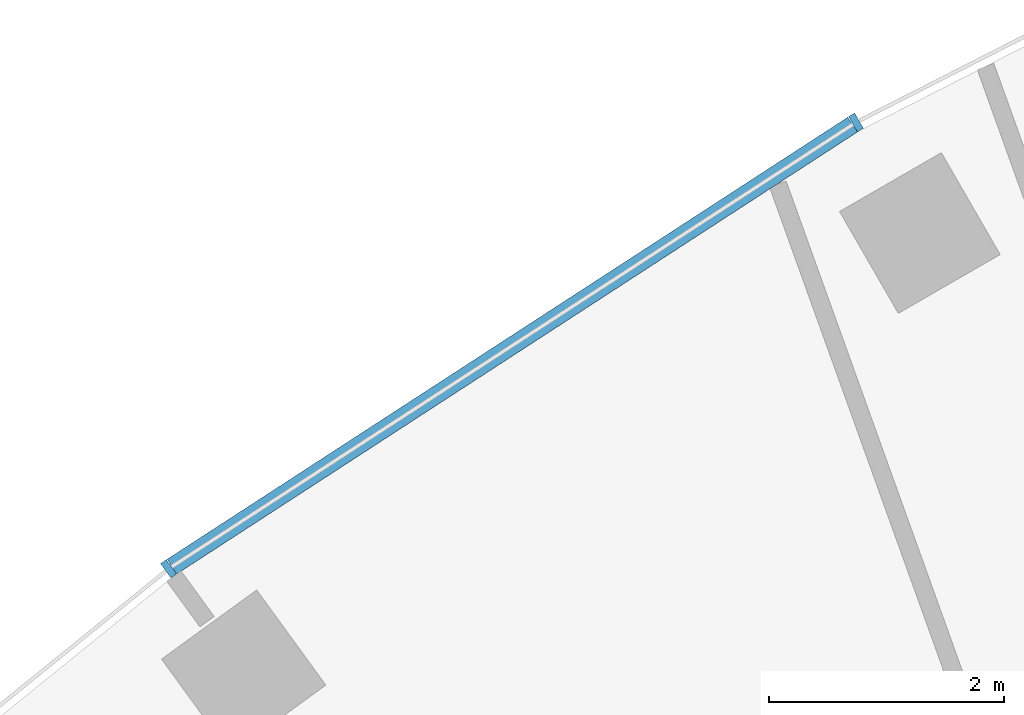
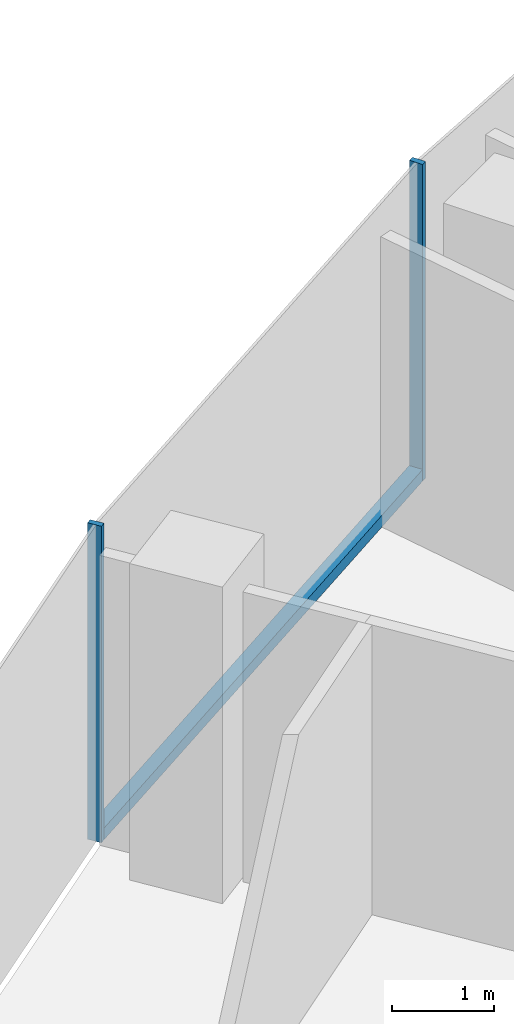
# One storey, part 4 of 20: 3 members, 1 element without a shape of its own.
"""IFC4 building model written with IfcOpenShell, lengths in metres."""

from ifc_helpers import new_model, si_unit, direction, frame, origin, origin_2d, place, context, subcontext, project, spatial, rectangle, extrude, material, layer, layer_set, material_profile, profile_set, type_object, element, aggregate, save


model = new_model("IFC4")

# Units and contexts
model_context = context("Model", 3, precision=1e-05, world=origin(), true_north=direction((0.0, 1.0)))
body_context = subcontext(model_context, "Body", "Model", "MODEL_VIEW")
ifc_project = project(units=[si_unit("LENGTHUNIT", "METRE"), si_unit("AREAUNIT", "SQUARE_METRE"), si_unit("VOLUMEUNIT", "CUBIC_METRE"), si_unit("PLANEANGLEUNIT", "RADIAN"), si_unit("MASSUNIT", "GRAM", prefix="KILO")], contexts=[model_context])

# Site, building, storey
site_placement = place(None, origin())
site = spatial("IfcSite", under=ifc_project, at=site_placement, CompositionType="ELEMENT")
building_placement = place(site_placement, origin())
building = spatial("IfcBuilding", under=site, at=building_placement, Name="Stone Belt Terrace Tower", CompositionType="ELEMENT")
storey_placement = place(building_placement, frame((0.0, 0.0, 174.39990234375)))
storey = spatial("IfcBuildingStorey", under=building, at=storey_placement, Name="L42", CompositionType="ELEMENT", Elevation=174.39990234375)

# Curtain wall, members
ifc_material = material(Name="Aluminium 6063-T6 anodised frame", Category="aluminium")
ifc_layer = layer(ifc_material, 0.14990234375)
ifc_layer_set = layer_set([ifc_layer], Name="CW-A unitised convex-face curtain wall")
curtain_wall_type = type_object("IfcCurtainWallType", Name="CW-A unitised convex-face curtain wall", PredefinedType="NOTDEFINED", material=ifc_layer_set)
curtain_wall_placement = place(storey_placement, origin())
curtain_wall = element("IfcCurtainWall", 1, at=curtain_wall_placement, inside=storey, type_object=curtain_wall_type, Name="CW-A convex face L42", PredefinedType="NOTDEFINED")
ifc_material_profile_1 = material_profile(ifc_material, rectangle(XDim=0.14990234375, YDim=0.06005859375, at=origin_2d()), Name="Aluminium 6063-T6 60x150")
ifc_profile_set_1 = profile_set([ifc_material_profile_1], Name="Aluminium 6063-T6 anodised frame")
member_type_1 = type_object("IfcMemberType", Name="CW-A mullion 60 x 150", PredefinedType="MULLION", material=ifc_profile_set_1)
member_1_placement = place(storey_placement, frame((-33.28759765625, 57.65576171875, 0.0), z_axis=(0.0, 0.0, 1.0), x_axis=(0.5, -0.866025403784, 0.0)))
member_1 = element("IfcMember", 2, at=member_1_placement, type_object=member_type_1, Name="CW-A mullion 13", PredefinedType="MULLION", context=body_context, shape_type="SweptSolid", body=[
    extrude(rectangle(XDim=0.14990234375, YDim=0.06005859375, at=origin_2d()), origin(), (0.0, 0.0, 1.0), 3.800048828125),
])
member_2_placement = place(storey_placement, frame((-39.1318359375, 53.8603515625, 0.0), z_axis=(0.0, 0.0, 1.0), x_axis=(0.587785252292, -0.809016994375, 0.0)))
member_2 = element("IfcMember", 3, at=member_2_placement, type_object=member_type_1, Name="CW-A mullion 14", PredefinedType="MULLION", context=body_context, shape_type="SweptSolid", body=[
    extrude(rectangle(XDim=0.14990234375, YDim=0.06005859375, at=origin_2d()), origin(), (0.0, 0.0, 1.0), 3.800048828125),
])
ifc_material_profile_2 = material_profile(ifc_material, rectangle(XDim=0.14990234375, YDim=0.139892578125, at=origin_2d()), Name="Aluminium 6063-T6 150x140")
ifc_profile_set_2 = profile_set([ifc_material_profile_2], Name="Aluminium 6063-T6 anodised frame")
member_type_2 = type_object("IfcMemberType", Name="CW-A transom 140 x 150", PredefinedType="USERDEFINED", material=ifc_profile_set_2)
member_3_placement = place(storey_placement, frame((-33.31591796875, 57.63720703125, 0.070068359375), z_axis=(-0.83868440714, -0.544617723931, 0.0), x_axis=(0.544617723931, -0.83868440714, 0.0)))
member_3 = element("IfcMember", 4, at=member_3_placement, type_object=member_type_2, Name="CW-A transom 13.1", ObjectType="TRANSOM", PredefinedType="USERDEFINED", context=body_context, shape_type="SweptSolid", body=[
    extrude(rectangle(XDim=0.14990234375, YDim=0.139892578125, at=origin_2d()), origin(), (0.0, 0.0, 1.0), 6.90087890625),
])
aggregate(curtain_wall, [member_1, member_2, member_3])

save(model, "model.ifc")
